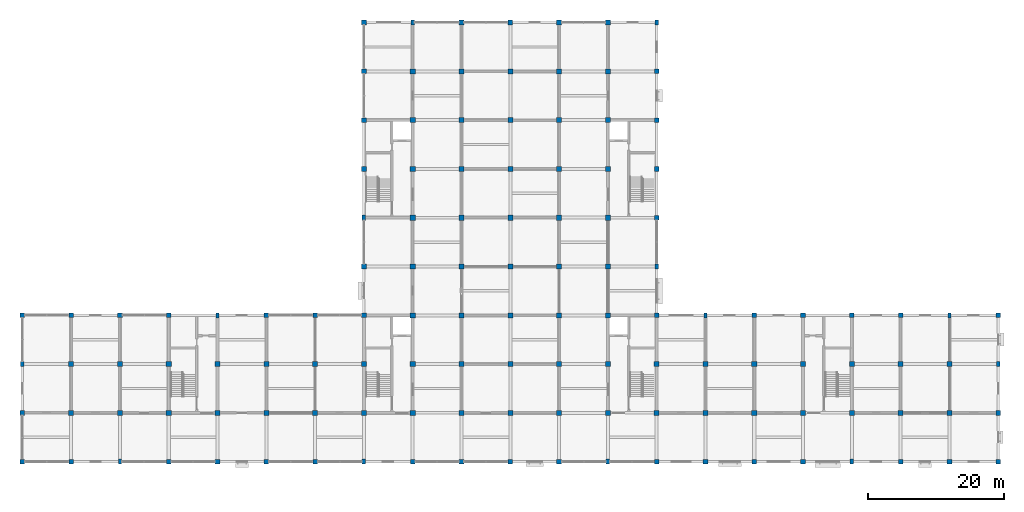
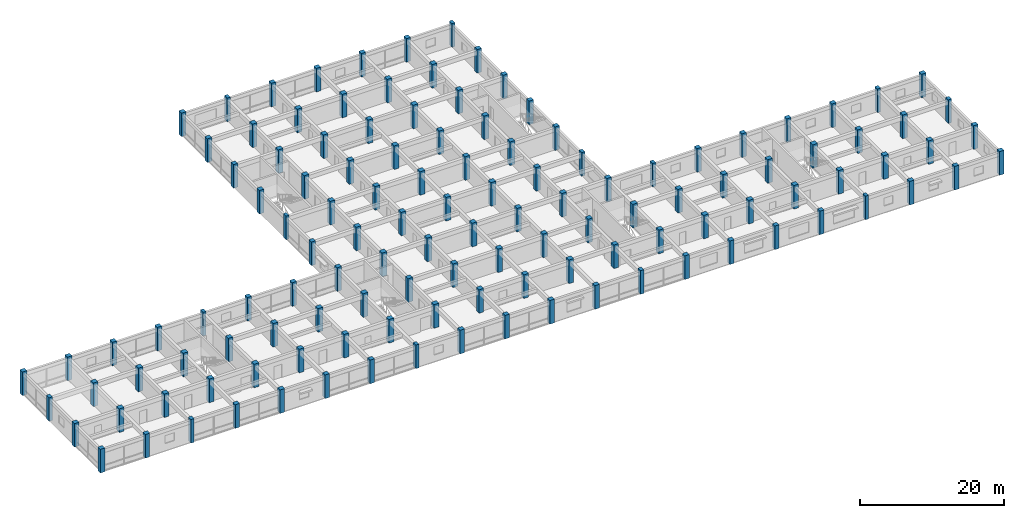
# One storey, part 1 of 25: 126 columns.
"""IFC4 building model written with IfcOpenShell, lengths in metres."""

from ifc_helpers import new_model, si_unit, direction, frame, origin, origin_2d, place, context, subcontext, project, spatial, rectangle, extrude, material, material_profile, profile_set, type_object, element, save


model = new_model("IFC4")

# Units and contexts
model_context = context("Model", 3, precision=1e-05, world=origin(), true_north=direction((0.0, 1.0)))
body_context = subcontext(model_context, "Body", "Model", "MODEL_VIEW")
ifc_project = project(units=[si_unit("LENGTHUNIT", "METRE"), si_unit("AREAUNIT", "SQUARE_METRE"), si_unit("VOLUMEUNIT", "CUBIC_METRE"), si_unit("PLANEANGLEUNIT", "RADIAN"), si_unit("MASSUNIT", "GRAM", prefix="KILO")], contexts=[model_context])

# Site, building, storey
site_placement = place(None, origin())
site = spatial("IfcSite", under=ifc_project, at=site_placement, CompositionType="ELEMENT")
building_placement = place(site_placement, origin())
building = spatial("IfcBuilding", under=site, at=building_placement, Name="Cendaluz Park School", CompositionType="ELEMENT")
storey_placement = place(building_placement, frame((0.0, 0.0, 18.60009765625)))
storey = spatial("IfcBuildingStorey", under=building, at=storey_placement, Name="L04", CompositionType="ELEMENT", Elevation=18.60009765625)

# Columns
ifc_material = material(Name="Concrete C40/50", Category="concrete")
ifc_material_profile_1 = material_profile(ifc_material, rectangle(XDim=0.5, YDim=0.75, at=origin_2d()), Name="RC 500x750", Category="concrete")
ifc_profile_set_1 = profile_set([ifc_material_profile_1], Name="Concrete C40/50")
column_type_1 = type_object("IfcColumnType", Name="C-PL01", PredefinedType="PILASTER", material=ifc_profile_set_1)
for number, where, z_axis, x_axis, name in (
    (1, (14.39990234375, 21.60009765625, 0.0), (0.0, 0.0, 1.0), (1.0, 0.0, 0.0), "C-L04-CPL01-003"),
    (2, (28.800048828125, 7.199951171875, 0.0), (0.0, 0.0, 1.0), (1.0, 0.0, 0.0), "C-L04-CPL01-009"),
    (3, (43.199951171875, 28.800048828125, 0.0), (0.0, 0.0, 1.0), (1.0, 0.0, 0.0), "C-L04-CPL01-020"),
    (4, (64.800048828125, 7.199951171875, 0.0), (0.0, 0.0, 1.0), (1.0, 0.0, 0.0), "C-L04-CPL01-029"),
    (5, (64.800048828125, 43.199951171875, 0.0), (0.0, 0.0, 1.0), (1.0, 0.0, 0.0), "C-L04-CPL01-034"),
    (6, (72.0, 72.0, 0.0), (0.0, 0.0, 1.0), (1.0, 0.0, 0.0), "C-L04-CPL01-048"),
    (7, (100.800048828125, 7.199951171875, 0.0), (0.0, 0.0, 1.0), (1.0, 0.0, 0.0), "C-L04-CPL01-079"),
    (8, (108.0, 36.0, 0.0), (0.0, 0.0, 1.0), (1.0, 0.0, 0.0), "C-L04-CPL01-093"),
    (9, (108.0, 72.0, 0.0), (0.0, 0.0, 1.0), (1.0, 0.0, 0.0), "C-L04-CPL01-098"),
    (10, (115.199951171875, 28.800048828125, 0.0), (0.0, 0.0, 1.0), (1.0, 0.0, 0.0), "C-L04-CPL01-102"),
    (11, (136.800048828125, 7.199951171875, 0.0), (0.0, 0.0, 1.0), (1.0, 0.0, 0.0), "C-L04-CPL01-111"),
    (12, (151.199951171875, 28.800048828125, 0.0), (0.0, 0.0, 1.0), (1.0, 0.0, 0.0), "C-L04-CPL01-122"),
    (13, (158.39990234375, 21.60009765625, 0.0), (0.0, 0.0, 1.0), (1.0, 0.0, 0.0), "C-L04-CPL01-125"),
):
    element("IfcColumn", number, at=place(storey_placement, frame(where, z_axis=z_axis, x_axis=x_axis)), inside=storey, type_object=column_type_1, Name=name, PredefinedType="PILASTER", context=body_context, shape_type="SweptSolid", body=[
        extrude(rectangle(XDim=0.5, YDim=0.75, at=origin_2d()), origin(), (0.0, 0.0, 1.0), 4.0),
    ])
ifc_material_profile_2 = material_profile(ifc_material, rectangle(XDim=0.75, YDim=0.75, at=origin_2d()), Name="RC 750x750", Category="concrete")
ifc_profile_set_2 = profile_set([ifc_material_profile_2], Name="Concrete C40/50")
column_type_2 = type_object("IfcColumnType", Name="C-RC03", PredefinedType="COLUMN", material=ifc_profile_set_2)
for number, where, z_axis, x_axis, name in (
    (14, (21.60009765625, 14.39990234375, 0.0), (0.0, 0.0, 1.0), (1.0, 0.0, 0.0), "C-L04-CRC03-006"),
    (15, (21.60009765625, 21.60009765625, 0.0), (0.0, 0.0, 1.0), (1.0, 0.0, 0.0), "C-L04-CRC03-007"),
    (16, (28.800048828125, 14.39990234375, 0.0), (0.0, 0.0, 1.0), (1.0, 0.0, 0.0), "C-L04-CRC03-010"),
    (17, (28.800048828125, 21.60009765625, 0.0), (0.0, 0.0, 1.0), (1.0, 0.0, 0.0), "C-L04-CRC03-011"),
    (18, (36.0, 14.39990234375, 0.0), (0.0, 0.0, 1.0), (1.0, 0.0, 0.0), "C-L04-CRC03-014"),
    (19, (36.0, 21.60009765625, 0.0), (0.0, 0.0, 1.0), (1.0, 0.0, 0.0), "C-L04-CRC03-015"),
    (20, (43.199951171875, 14.39990234375, 0.0), (0.0, 0.0, 1.0), (1.0, 0.0, 0.0), "C-L04-CRC03-018"),
    (21, (43.199951171875, 21.60009765625, 0.0), (0.0, 0.0, 1.0), (1.0, 0.0, 0.0), "C-L04-CRC03-019"),
    (22, (50.39990234375, 14.39990234375, 0.0), (0.0, 0.0, 1.0), (1.0, 0.0, 0.0), "C-L04-CRC03-022"),
    (23, (50.39990234375, 21.60009765625, 0.0), (0.0, 0.0, 1.0), (1.0, 0.0, 0.0), "C-L04-CRC03-023"),
    (24, (57.60009765625, 14.39990234375, 0.0), (0.0, 0.0, 1.0), (1.0, 0.0, 0.0), "C-L04-CRC03-026"),
    (25, (57.60009765625, 21.60009765625, 0.0), (0.0, 0.0, 1.0), (1.0, 0.0, 0.0), "C-L04-CRC03-027"),
    (26, (64.800048828125, 14.39990234375, 0.0), (0.0, 0.0, 1.0), (1.0, 0.0, 0.0), "C-L04-CRC03-030"),
    (27, (64.800048828125, 21.60009765625, 0.0), (0.0, 0.0, 1.0), (1.0, 0.0, 0.0), "C-L04-CRC03-031"),
    (28, (72.0, 14.39990234375, 0.0), (0.0, 0.0, 1.0), (1.0, 0.0, 0.0), "C-L04-CRC03-040"),
    (29, (72.0, 21.60009765625, 0.0), (0.0, 0.0, 1.0), (1.0, 0.0, 0.0), "C-L04-CRC03-041"),
    (30, (72.0, 28.800048828125, 0.0), (0.0, 0.0, 1.0), (1.0, 0.0, 0.0), "C-L04-CRC03-042"),
    (31, (72.0, 36.0, 0.0), (0.0, 0.0, 1.0), (1.0, 0.0, 0.0), "C-L04-CRC03-043"),
    (32, (72.0, 43.199951171875, 0.0), (0.0, 0.0, 1.0), (1.0, 0.0, 0.0), "C-L04-CRC03-044"),
    (33, (72.0, 50.39990234375, 0.0), (0.0, 0.0, 1.0), (1.0, 0.0, 0.0), "C-L04-CRC03-045"),
    (34, (72.0, 57.60009765625, 0.0), (0.0, 0.0, 1.0), (1.0, 0.0, 0.0), "C-L04-CRC03-046"),
    (35, (72.0, 64.800048828125, 0.0), (0.0, 0.0, 1.0), (1.0, 0.0, 0.0), "C-L04-CRC03-047"),
    (36, (79.199951171875, 14.39990234375, 0.0), (0.0, 0.0, 1.0), (1.0, 0.0, 0.0), "C-L04-CRC03-050"),
    (37, (79.199951171875, 21.60009765625, 0.0), (0.0, 0.0, 1.0), (1.0, 0.0, 0.0), "C-L04-CRC03-051"),
    (38, (79.199951171875, 28.800048828125, 0.0), (0.0, 0.0, 1.0), (1.0, 0.0, 0.0), "C-L04-CRC03-052"),
    (39, (79.199951171875, 36.0, 0.0), (0.0, 0.0, 1.0), (1.0, 0.0, 0.0), "C-L04-CRC03-053"),
    (40, (79.199951171875, 43.199951171875, 0.0), (0.0, 0.0, 1.0), (1.0, 0.0, 0.0), "C-L04-CRC03-054"),
    (41, (79.199951171875, 50.39990234375, 0.0), (0.0, 0.0, 1.0), (1.0, 0.0, 0.0), "C-L04-CRC03-055"),
    (42, (79.199951171875, 57.60009765625, 0.0), (0.0, 0.0, 1.0), (1.0, 0.0, 0.0), "C-L04-CRC03-056"),
    (43, (79.199951171875, 64.800048828125, 0.0), (0.0, 0.0, 1.0), (1.0, 0.0, 0.0), "C-L04-CRC03-057"),
    (44, (86.39990234375, 14.39990234375, 0.0), (0.0, 0.0, 1.0), (1.0, 0.0, 0.0), "C-L04-CRC03-060"),
    (45, (86.39990234375, 21.60009765625, 0.0), (0.0, 0.0, 1.0), (1.0, 0.0, 0.0), "C-L04-CRC03-061"),
    (46, (86.39990234375, 28.800048828125, 0.0), (0.0, 0.0, 1.0), (1.0, 0.0, 0.0), "C-L04-CRC03-062"),
    (47, (86.39990234375, 36.0, 0.0), (0.0, 0.0, 1.0), (1.0, 0.0, 0.0), "C-L04-CRC03-063"),
    (48, (86.39990234375, 43.199951171875, 0.0), (0.0, 0.0, 1.0), (1.0, 0.0, 0.0), "C-L04-CRC03-064"),
    (49, (86.39990234375, 50.39990234375, 0.0), (0.0, 0.0, 1.0), (1.0, 0.0, 0.0), "C-L04-CRC03-065"),
    (50, (86.39990234375, 57.60009765625, 0.0), (0.0, 0.0, 1.0), (1.0, 0.0, 0.0), "C-L04-CRC03-066"),
    (51, (86.39990234375, 64.800048828125, 0.0), (0.0, 0.0, 1.0), (1.0, 0.0, 0.0), "C-L04-CRC03-067"),
    (52, (93.60009765625, 14.39990234375, 0.0), (0.0, 0.0, 1.0), (1.0, 0.0, 0.0), "C-L04-CRC03-070"),
    (53, (93.60009765625, 21.60009765625, 0.0), (0.0, 0.0, 1.0), (1.0, 0.0, 0.0), "C-L04-CRC03-071"),
    (54, (93.60009765625, 28.800048828125, 0.0), (0.0, 0.0, 1.0), (1.0, 0.0, 0.0), "C-L04-CRC03-072"),
    (55, (93.60009765625, 36.0, 0.0), (0.0, 0.0, 1.0), (1.0, 0.0, 0.0), "C-L04-CRC03-073"),
    (56, (93.60009765625, 43.199951171875, 0.0), (0.0, 0.0, 1.0), (1.0, 0.0, 0.0), "C-L04-CRC03-074"),
    (57, (93.60009765625, 50.39990234375, 0.0), (0.0, 0.0, 1.0), (1.0, 0.0, 0.0), "C-L04-CRC03-075"),
    (58, (93.60009765625, 57.60009765625, 0.0), (0.0, 0.0, 1.0), (1.0, 0.0, 0.0), "C-L04-CRC03-076"),
    (59, (93.60009765625, 64.800048828125, 0.0), (0.0, 0.0, 1.0), (1.0, 0.0, 0.0), "C-L04-CRC03-077"),
    (60, (100.800048828125, 14.39990234375, 0.0), (0.0, 0.0, 1.0), (1.0, 0.0, 0.0), "C-L04-CRC03-080"),
    (61, (100.800048828125, 21.60009765625, 0.0), (0.0, 0.0, 1.0), (1.0, 0.0, 0.0), "C-L04-CRC03-081"),
    (62, (100.800048828125, 28.800048828125, 0.0), (0.0, 0.0, 1.0), (1.0, 0.0, 0.0), "C-L04-CRC03-082"),
    (63, (100.800048828125, 36.0, 0.0), (0.0, 0.0, 1.0), (1.0, 0.0, 0.0), "C-L04-CRC03-083"),
    (64, (100.800048828125, 43.199951171875, 0.0), (0.0, 0.0, 1.0), (1.0, 0.0, 0.0), "C-L04-CRC03-084"),
    (65, (100.800048828125, 50.39990234375, 0.0), (0.0, 0.0, 1.0), (1.0, 0.0, 0.0), "C-L04-CRC03-085"),
    (66, (100.800048828125, 57.60009765625, 0.0), (0.0, 0.0, 1.0), (1.0, 0.0, 0.0), "C-L04-CRC03-086"),
    (67, (100.800048828125, 64.800048828125, 0.0), (0.0, 0.0, 1.0), (1.0, 0.0, 0.0), "C-L04-CRC03-087"),
    (68, (108.0, 14.39990234375, 0.0), (0.0, 0.0, 1.0), (1.0, 0.0, 0.0), "C-L04-CRC03-090"),
    (69, (108.0, 21.60009765625, 0.0), (0.0, 0.0, 1.0), (1.0, 0.0, 0.0), "C-L04-CRC03-091"),
    (70, (115.199951171875, 14.39990234375, 0.0), (0.0, 0.0, 1.0), (1.0, 0.0, 0.0), "C-L04-CRC03-100"),
    (71, (115.199951171875, 21.60009765625, 0.0), (0.0, 0.0, 1.0), (1.0, 0.0, 0.0), "C-L04-CRC03-101"),
    (72, (122.39990234375, 14.39990234375, 0.0), (0.0, 0.0, 1.0), (1.0, 0.0, 0.0), "C-L04-CRC03-104"),
    (73, (122.39990234375, 21.60009765625, 0.0), (0.0, 0.0, 1.0), (1.0, 0.0, 0.0), "C-L04-CRC03-105"),
    (74, (129.60009765625, 14.39990234375, 0.0), (0.0, 0.0, 1.0), (1.0, 0.0, 0.0), "C-L04-CRC03-108"),
    (75, (129.60009765625, 21.60009765625, 0.0), (0.0, 0.0, 1.0), (1.0, 0.0, 0.0), "C-L04-CRC03-109"),
    (76, (136.800048828125, 14.39990234375, 0.0), (0.0, 0.0, 1.0), (1.0, 0.0, 0.0), "C-L04-CRC03-112"),
    (77, (136.800048828125, 21.60009765625, 0.0), (0.0, 0.0, 1.0), (1.0, 0.0, 0.0), "C-L04-CRC03-113"),
    (78, (144.0, 14.39990234375, 0.0), (0.0, 0.0, 1.0), (1.0, 0.0, 0.0), "C-L04-CRC03-116"),
    (79, (144.0, 21.60009765625, 0.0), (0.0, 0.0, 1.0), (1.0, 0.0, 0.0), "C-L04-CRC03-117"),
    (80, (151.199951171875, 14.39990234375, 0.0), (0.0, 0.0, 1.0), (1.0, 0.0, 0.0), "C-L04-CRC03-120"),
    (81, (151.199951171875, 21.60009765625, 0.0), (0.0, 0.0, 1.0), (1.0, 0.0, 0.0), "C-L04-CRC03-121"),
):
    element("IfcColumn", number, at=place(storey_placement, frame(where, z_axis=z_axis, x_axis=x_axis)), inside=storey, type_object=column_type_2, Name=name, PredefinedType="COLUMN", context=body_context, shape_type="SweptSolid", body=[
        extrude(rectangle(XDim=0.75, YDim=0.75, at=origin_2d()), origin(), (0.0, 0.0, 1.0), 4.0),
    ])
ifc_material_profile_3 = material_profile(ifc_material, rectangle(XDim=0.699951171875, YDim=0.699951171875, at=origin_2d()), Name="RC 700x700", Category="concrete")
ifc_profile_set_3 = profile_set([ifc_material_profile_3], Name="Concrete C40/50")
column_type_3 = type_object("IfcColumnType", Name="C-RC04", PredefinedType="COLUMN", material=ifc_profile_set_3)
for number, where, z_axis, x_axis, name in (
    (82, (14.39990234375, 7.199951171875, 0.0), (0.0, 0.0, 1.0), (1.0, 0.0, 0.0), "C-L04-CRC04-001"),
    (83, (14.39990234375, 14.39990234375, 0.0), (0.0, 0.0, 1.0), (1.0, 0.0, 0.0), "C-L04-CRC04-002"),
    (84, (14.39990234375, 28.800048828125, 0.0), (0.0, 0.0, 1.0), (1.0, 0.0, 0.0), "C-L04-CRC04-004"),
    (85, (21.60009765625, 7.199951171875, 0.0), (0.0, 0.0, 1.0), (1.0, 0.0, 0.0), "C-L04-CRC04-005"),
    (86, (21.60009765625, 28.800048828125, 0.0), (0.0, 0.0, 1.0), (1.0, 0.0, 0.0), "C-L04-CRC04-008"),
    (87, (28.800048828125, 28.800048828125, 0.0), (0.0, 0.0, 1.0), (1.0, 0.0, 0.0), "C-L04-CRC04-012"),
    (88, (36.0, 7.199951171875, 0.0), (0.0, 0.0, 1.0), (1.0, 0.0, 0.0), "C-L04-CRC04-013"),
    (89, (36.0, 28.800048828125, 0.0), (0.0, 0.0, 1.0), (1.0, 0.0, 0.0), "C-L04-CRC04-016"),
    (90, (43.199951171875, 7.199951171875, 0.0), (0.0, 0.0, 1.0), (1.0, 0.0, 0.0), "C-L04-CRC04-017"),
    (91, (50.39990234375, 7.199951171875, 0.0), (0.0, 0.0, 1.0), (1.0, 0.0, 0.0), "C-L04-CRC04-021"),
    (92, (50.39990234375, 28.800048828125, 0.0), (0.0, 0.0, 1.0), (1.0, 0.0, 0.0), "C-L04-CRC04-024"),
    (93, (57.60009765625, 7.199951171875, 0.0), (0.0, 0.0, 1.0), (1.0, 0.0, 0.0), "C-L04-CRC04-025"),
    (94, (57.60009765625, 28.800048828125, 0.0), (0.0, 0.0, 1.0), (1.0, 0.0, 0.0), "C-L04-CRC04-028"),
    (95, (64.800048828125, 28.800048828125, 0.0), (0.0, 0.0, 1.0), (1.0, 0.0, 0.0), "C-L04-CRC04-032"),
    (96, (64.800048828125, 36.0, 0.0), (0.0, 0.0, 1.0), (1.0, 0.0, 0.0), "C-L04-CRC04-033"),
    (97, (64.800048828125, 50.39990234375, 0.0), (0.0, 0.0, 1.0), (1.0, 0.0, 0.0), "C-L04-CRC04-035"),
    (98, (64.800048828125, 57.60009765625, 0.0), (0.0, 0.0, 1.0), (1.0, 0.0, 0.0), "C-L04-CRC04-036"),
    (99, (64.800048828125, 64.800048828125, 0.0), (0.0, 0.0, 1.0), (1.0, 0.0, 0.0), "C-L04-CRC04-037"),
    (100, (64.800048828125, 72.0, 0.0), (0.0, 0.0, 1.0), (1.0, 0.0, 0.0), "C-L04-CRC04-038"),
    (101, (72.0, 7.199951171875, 0.0), (0.0, 0.0, 1.0), (1.0, 0.0, 0.0), "C-L04-CRC04-039"),
    (102, (79.199951171875, 7.199951171875, 0.0), (0.0, 0.0, 1.0), (1.0, 0.0, 0.0), "C-L04-CRC04-049"),
    (103, (79.199951171875, 72.0, 0.0), (0.0, 0.0, 1.0), (1.0, 0.0, 0.0), "C-L04-CRC04-058"),
    (104, (86.39990234375, 7.199951171875, 0.0), (0.0, 0.0, 1.0), (1.0, 0.0, 0.0), "C-L04-CRC04-059"),
    (105, (86.39990234375, 72.0, 0.0), (0.0, 0.0, 1.0), (1.0, 0.0, 0.0), "C-L04-CRC04-068"),
    (106, (93.60009765625, 7.199951171875, 0.0), (0.0, 0.0, 1.0), (1.0, 0.0, 0.0), "C-L04-CRC04-069"),
    (107, (93.60009765625, 72.0, 0.0), (0.0, 0.0, 1.0), (1.0, 0.0, 0.0), "C-L04-CRC04-078"),
    (108, (100.800048828125, 72.0, 0.0), (0.0, 0.0, 1.0), (1.0, 0.0, 0.0), "C-L04-CRC04-088"),
    (109, (108.0, 7.199951171875, 0.0), (0.0, 0.0, 1.0), (1.0, 0.0, 0.0), "C-L04-CRC04-089"),
    (110, (108.0, 28.800048828125, 0.0), (0.0, 0.0, 1.0), (1.0, 0.0, 0.0), "C-L04-CRC04-092"),
    (111, (108.0, 43.199951171875, 0.0), (0.0, 0.0, 1.0), (1.0, 0.0, 0.0), "C-L04-CRC04-094"),
    (112, (108.0, 50.39990234375, 0.0), (0.0, 0.0, 1.0), (1.0, 0.0, 0.0), "C-L04-CRC04-095"),
    (113, (108.0, 57.60009765625, 0.0), (0.0, 0.0, 1.0), (1.0, 0.0, 0.0), "C-L04-CRC04-096"),
    (114, (108.0, 64.800048828125, 0.0), (0.0, 0.0, 1.0), (1.0, 0.0, 0.0), "C-L04-CRC04-097"),
    (115, (115.199951171875, 7.199951171875, 0.0), (0.0, 0.0, 1.0), (1.0, 0.0, 0.0), "C-L04-CRC04-099"),
    (116, (122.39990234375, 7.199951171875, 0.0), (0.0, 0.0, 1.0), (1.0, 0.0, 0.0), "C-L04-CRC04-103"),
    (117, (122.39990234375, 28.800048828125, 0.0), (0.0, 0.0, 1.0), (1.0, 0.0, 0.0), "C-L04-CRC04-106"),
    (118, (129.60009765625, 7.199951171875, 0.0), (0.0, 0.0, 1.0), (1.0, 0.0, 0.0), "C-L04-CRC04-107"),
    (119, (129.60009765625, 28.800048828125, 0.0), (0.0, 0.0, 1.0), (1.0, 0.0, 0.0), "C-L04-CRC04-110"),
    (120, (136.800048828125, 28.800048828125, 0.0), (0.0, 0.0, 1.0), (1.0, 0.0, 0.0), "C-L04-CRC04-114"),
    (121, (144.0, 7.199951171875, 0.0), (0.0, 0.0, 1.0), (1.0, 0.0, 0.0), "C-L04-CRC04-115"),
    (122, (144.0, 28.800048828125, 0.0), (0.0, 0.0, 1.0), (1.0, 0.0, 0.0), "C-L04-CRC04-118"),
    (123, (151.199951171875, 7.199951171875, 0.0), (0.0, 0.0, 1.0), (1.0, 0.0, 0.0), "C-L04-CRC04-119"),
    (124, (158.39990234375, 7.199951171875, 0.0), (0.0, 0.0, 1.0), (1.0, 0.0, 0.0), "C-L04-CRC04-123"),
    (125, (158.39990234375, 14.39990234375, 0.0), (0.0, 0.0, 1.0), (1.0, 0.0, 0.0), "C-L04-CRC04-124"),
    (126, (158.39990234375, 28.800048828125, 0.0), (0.0, 0.0, 1.0), (1.0, 0.0, 0.0), "C-L04-CRC04-126"),
):
    element("IfcColumn", number, at=place(storey_placement, frame(where, z_axis=z_axis, x_axis=x_axis)), inside=storey, type_object=column_type_3, Name=name, PredefinedType="COLUMN", context=body_context, shape_type="SweptSolid", body=[
        extrude(rectangle(XDim=0.699951171875, YDim=0.699951171875, at=origin_2d()), origin(), (0.0, 0.0, 1.0), 4.0),
    ])

save(model, "model.ifc")
